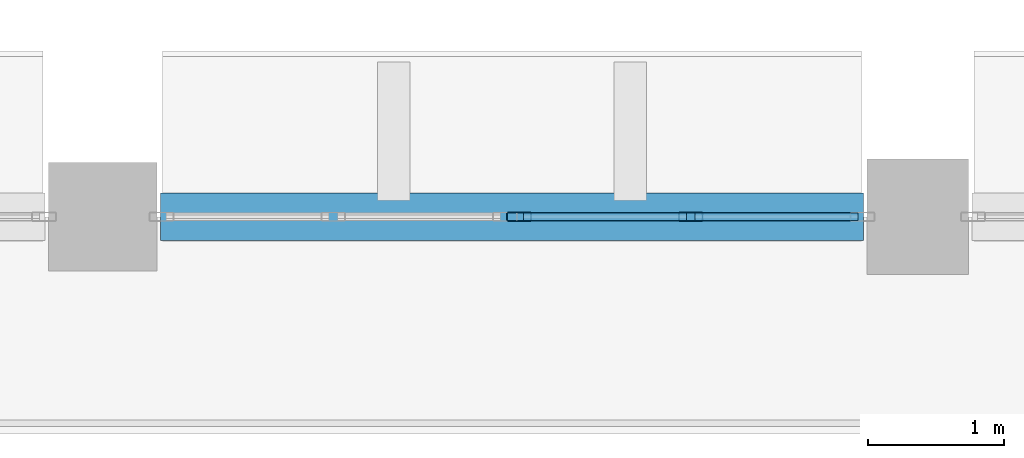
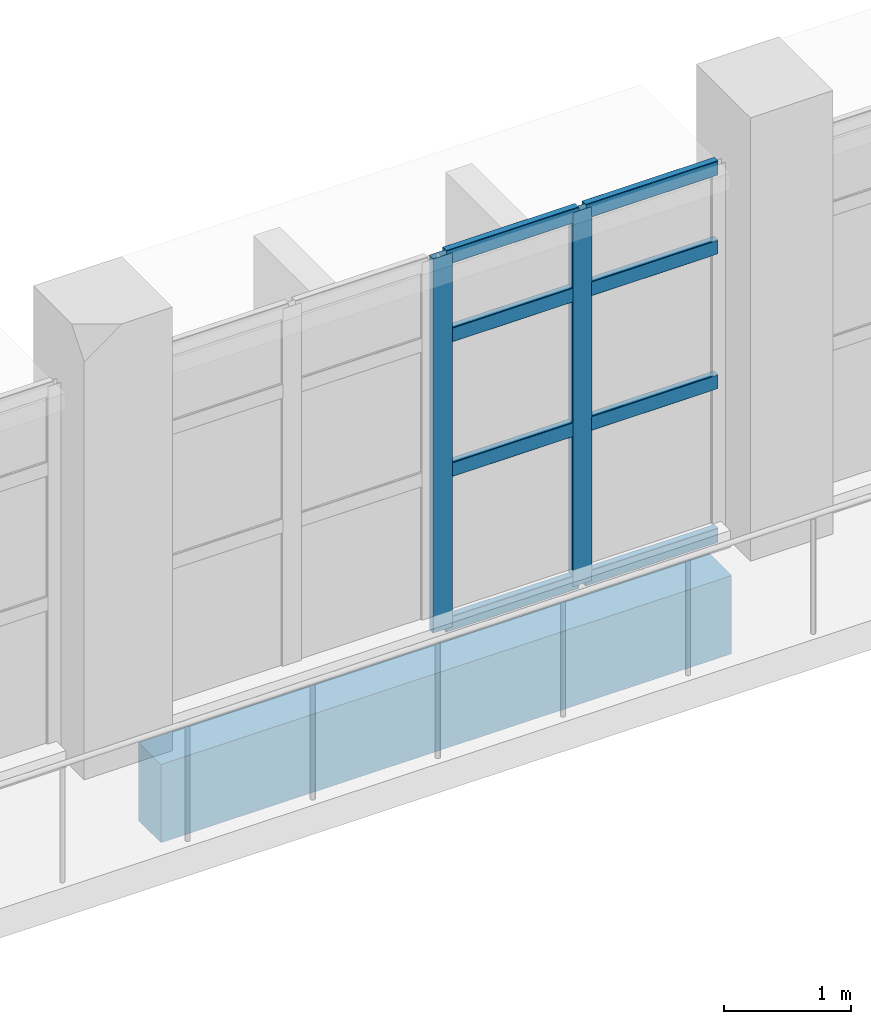
# One storey, part 39 of 76: 10 members, 1 beam, 1 element without a shape of its own.
"""IFC4 building model written with IfcOpenShell, lengths in metres."""

from ifc_helpers import new_model, si_unit, direction, frame, origin, origin_2d, place, context, subcontext, project, spatial, rectangle, hollow_rectangle, extrude, material, material_profile, profile_set, type_object, element, aggregate, save


model = new_model("IFC4")

# Units and contexts
model_context = context("Model", 3, precision=1e-05, world=origin(), true_north=direction((0.0, 1.0)))
body_context = subcontext(model_context, "Body", "Model", "MODEL_VIEW")
ifc_project = project(units=[si_unit("LENGTHUNIT", "METRE"), si_unit("AREAUNIT", "SQUARE_METRE"), si_unit("VOLUMEUNIT", "CUBIC_METRE"), si_unit("PLANEANGLEUNIT", "RADIAN"), si_unit("MASSUNIT", "GRAM", prefix="KILO")], contexts=[model_context])

# Site, building, storey
site_placement = place(None, origin())
site = spatial("IfcSite", under=ifc_project, at=site_placement, CompositionType="ELEMENT")
building_placement = place(site_placement, origin())
building = spatial("IfcBuilding", under=site, at=building_placement, Name="Varnakota Cinema and Media Centre", CompositionType="ELEMENT")
storey_placement = place(building_placement, origin())
storey = spatial("IfcBuildingStorey", under=building, at=storey_placement, Name="L00", CompositionType="ELEMENT", Elevation=0.0)

# Beam
ifc_material_1 = material(Name="Concrete M40", Category="concrete")
ifc_material_profile_1 = material_profile(ifc_material_1, rectangle(XDim=0.35009765625, YDim=0.75, at=origin_2d()), Name="RCB 350x750")
ifc_profile_set_1 = profile_set([ifc_material_profile_1], Name="Concrete M40")
beam_type = type_object("IfcBeamType", Name="BM-SP-350x750", PredefinedType="SPANDREL", material=ifc_profile_set_1)
beam_placement = place(storey_placement, frame((123.425048828125, 44.0, -0.655029296875), z_axis=(1.0, 0.0, 0.0), x_axis=(0.0, 1.0, 0.0)))
element("IfcBeam", 1, at=beam_placement, inside=storey, type_object=beam_type, Name="L00 girder T-U/6", PredefinedType="SPANDREL", context=body_context, shape_type="SweptSolid", body=[
    extrude(rectangle(XDim=0.35009765625, YDim=0.75, at=origin_2d()), origin(), (0.0, 0.0, 1.0), 5.175048828125),
])

# Curtain wall, members
ifc_material_2 = material(Name="Thermally broken anodised aluminium AW-6063", Category="aluminium")
curtain_wall_type = type_object("IfcCurtainWallType", Name="CW-STD-259x358", PredefinedType="USERDEFINED", material=ifc_material_2)
curtain_wall_placement = place(storey_placement, origin())
curtain_wall = element("IfcCurtainWall", 2, at=curtain_wall_placement, inside=storey, type_object=curtain_wall_type, Name="L00 curtain wall CW-L00-V1-N-09-2", ObjectType="UNITISED CURTAIN WALL", PredefinedType="USERDEFINED")
ifc_material_3 = material(Name="Thermally broken anodised aluminium AW-6063", Category="aluminium")
ifc_material_profile_2 = material_profile(ifc_material_3, hollow_rectangle(XDim=0.06494140625, YDim=0.179931640625, WallThickness=0.00390625, InnerFilletRadius=0.00390625, OuterFilletRadius=0.008056640625, at=origin_2d()), Name="AL-MULLION 180x65x4")
ifc_profile_set_2 = profile_set([ifc_material_profile_2], Name="Thermally broken anodised aluminium AW-6063")
member_type_1 = type_object("IfcMemberType", Name="CWM-AL-180", PredefinedType="MULLION", material=ifc_profile_set_2)
member_1_placement = place(storey_placement, frame((126.06494140625, 44.0, 0.0), z_axis=(0.0, 0.0, 1.0), x_axis=(0.0, 1.0, 0.0)))
member_1 = element("IfcMember", 3, at=member_1_placement, type_object=member_type_1, Name="CW06 mullion 1", PredefinedType="MULLION", context=body_context, shape_type="SweptSolid", body=[
    extrude(hollow_rectangle(XDim=0.06494140625, YDim=0.179931640625, WallThickness=0.00390625, InnerFilletRadius=0.00390625, OuterFilletRadius=0.008056640625, at=origin_2d()), origin(), (0.0, 0.0, 1.0), 3.5849609375),
])
member_2_placement = place(storey_placement, frame((127.328857421875, 44.0, 0.0), z_axis=(0.0, 0.0, 1.0), x_axis=(0.0, 1.0, 0.0)))
member_2 = element("IfcMember", 4, at=member_2_placement, type_object=member_type_1, Name="CW06 mullion 2", PredefinedType="MULLION", context=body_context, shape_type="SweptSolid", body=[
    extrude(hollow_rectangle(XDim=0.06494140625, YDim=0.179931640625, WallThickness=0.00390625, InnerFilletRadius=0.00390625, OuterFilletRadius=0.008056640625, at=origin_2d()), origin(), (0.0, 0.0, 1.0), 3.5849609375),
])
ifc_material_4 = material(Name="Thermally broken anodised aluminium AW-6063", Category="aluminium")
ifc_material_profile_3 = material_profile(ifc_material_4, hollow_rectangle(XDim=0.06494140625, YDim=0.139892578125, WallThickness=0.00390625, InnerFilletRadius=0.00390625, OuterFilletRadius=0.008056640625, at=origin_2d()), Name="AL-TRANSOM 140x65x4")
ifc_profile_set_3 = profile_set([ifc_material_profile_3], Name="Thermally broken anodised aluminium AW-6063")
member_type_2 = type_object("IfcMemberType", Name="CWT-AL-140", PredefinedType="USERDEFINED", material=ifc_profile_set_3)
member_3_placement = place(storey_placement, frame((126.097412109375, 44.0, 0.032470703125), z_axis=(1.0, 0.0, 0.0), x_axis=(0.0, 1.0, 0.0)))
member_3 = element("IfcMember", 5, at=member_3_placement, type_object=member_type_2, Name="CW06 transom 1.1", ObjectType="TRANSOM", PredefinedType="USERDEFINED", context=body_context, shape_type="SweptSolid", body=[
    extrude(hollow_rectangle(XDim=0.06494140625, YDim=0.139892578125, WallThickness=0.00390625, InnerFilletRadius=0.00390625, OuterFilletRadius=0.008056640625, at=origin_2d()), origin(), (0.0, 0.0, 1.0), 1.19873046875),
])
member_4_placement = place(storey_placement, frame((126.097412109375, 44.0, 1.505615234375), z_axis=(1.0, 0.0, 0.0), x_axis=(0.0, 1.0, 0.0)))
member_4 = element("IfcMember", 6, at=member_4_placement, type_object=member_type_2, Name="CW06 transom 1.2", ObjectType="TRANSOM", PredefinedType="USERDEFINED", context=body_context, shape_type="SweptSolid", body=[
    extrude(hollow_rectangle(XDim=0.06494140625, YDim=0.139892578125, WallThickness=0.00390625, InnerFilletRadius=0.00390625, OuterFilletRadius=0.008056640625, at=origin_2d()), origin(), (0.0, 0.0, 1.0), 1.19873046875),
])
member_5_placement = place(storey_placement, frame((126.097412109375, 44.0, 2.79638671875), z_axis=(1.0, 0.0, 0.0), x_axis=(0.0, 1.0, 0.0)))
member_5 = element("IfcMember", 7, at=member_5_placement, type_object=member_type_2, Name="CW06 transom 1.3", ObjectType="TRANSOM", PredefinedType="USERDEFINED", context=body_context, shape_type="SweptSolid", body=[
    extrude(hollow_rectangle(XDim=0.06494140625, YDim=0.139892578125, WallThickness=0.00390625, InnerFilletRadius=0.00390625, OuterFilletRadius=0.008056640625, at=origin_2d()), origin(), (0.0, 0.0, 1.0), 1.19873046875),
])
member_6_placement = place(storey_placement, frame((126.097412109375, 44.0, 3.552490234375), z_axis=(1.0, 0.0, 0.0), x_axis=(0.0, 1.0, 0.0)))
member_6 = element("IfcMember", 8, at=member_6_placement, type_object=member_type_2, Name="CW06 transom 1.4", ObjectType="TRANSOM", PredefinedType="USERDEFINED", context=body_context, shape_type="SweptSolid", body=[
    extrude(hollow_rectangle(XDim=0.06494140625, YDim=0.139892578125, WallThickness=0.00390625, InnerFilletRadius=0.00390625, OuterFilletRadius=0.008056640625, at=origin_2d()), origin(), (0.0, 0.0, 1.0), 1.19873046875),
])
member_7_placement = place(storey_placement, frame((127.361328125, 44.0, 0.032470703125), z_axis=(1.0, 0.0, 0.0), x_axis=(0.0, 1.0, 0.0)))
member_7 = element("IfcMember", 9, at=member_7_placement, type_object=member_type_2, Name="CW06 transom 2.1", ObjectType="TRANSOM", PredefinedType="USERDEFINED", context=body_context, shape_type="SweptSolid", body=[
    extrude(hollow_rectangle(XDim=0.06494140625, YDim=0.139892578125, WallThickness=0.00390625, InnerFilletRadius=0.00390625, OuterFilletRadius=0.008056640625, at=origin_2d()), origin(), (0.0, 0.0, 1.0), 1.19873046875),
])
member_8_placement = place(storey_placement, frame((127.361328125, 44.0, 1.505615234375), z_axis=(1.0, 0.0, 0.0), x_axis=(0.0, 1.0, 0.0)))
member_8 = element("IfcMember", 10, at=member_8_placement, type_object=member_type_2, Name="CW06 transom 2.2", ObjectType="TRANSOM", PredefinedType="USERDEFINED", context=body_context, shape_type="SweptSolid", body=[
    extrude(hollow_rectangle(XDim=0.06494140625, YDim=0.139892578125, WallThickness=0.00390625, InnerFilletRadius=0.00390625, OuterFilletRadius=0.008056640625, at=origin_2d()), origin(), (0.0, 0.0, 1.0), 1.19873046875),
])
member_9_placement = place(storey_placement, frame((127.361328125, 44.0, 2.79638671875), z_axis=(1.0, 0.0, 0.0), x_axis=(0.0, 1.0, 0.0)))
member_9 = element("IfcMember", 11, at=member_9_placement, type_object=member_type_2, Name="CW06 transom 2.3", ObjectType="TRANSOM", PredefinedType="USERDEFINED", context=body_context, shape_type="SweptSolid", body=[
    extrude(hollow_rectangle(XDim=0.06494140625, YDim=0.139892578125, WallThickness=0.00390625, InnerFilletRadius=0.00390625, OuterFilletRadius=0.008056640625, at=origin_2d()), origin(), (0.0, 0.0, 1.0), 1.19873046875),
])
member_10_placement = place(storey_placement, frame((127.361328125, 44.0, 3.552490234375), z_axis=(1.0, 0.0, 0.0), x_axis=(0.0, 1.0, 0.0)))
member_10 = element("IfcMember", 12, at=member_10_placement, type_object=member_type_2, Name="CW06 transom 2.4", ObjectType="TRANSOM", PredefinedType="USERDEFINED", context=body_context, shape_type="SweptSolid", body=[
    extrude(hollow_rectangle(XDim=0.06494140625, YDim=0.139892578125, WallThickness=0.00390625, InnerFilletRadius=0.00390625, OuterFilletRadius=0.008056640625, at=origin_2d()), origin(), (0.0, 0.0, 1.0), 1.19873046875),
])
aggregate(curtain_wall, [member_1, member_2, member_3, member_4, member_5, member_6, member_7, member_8, member_9, member_10])

save(model, "model.ifc")
